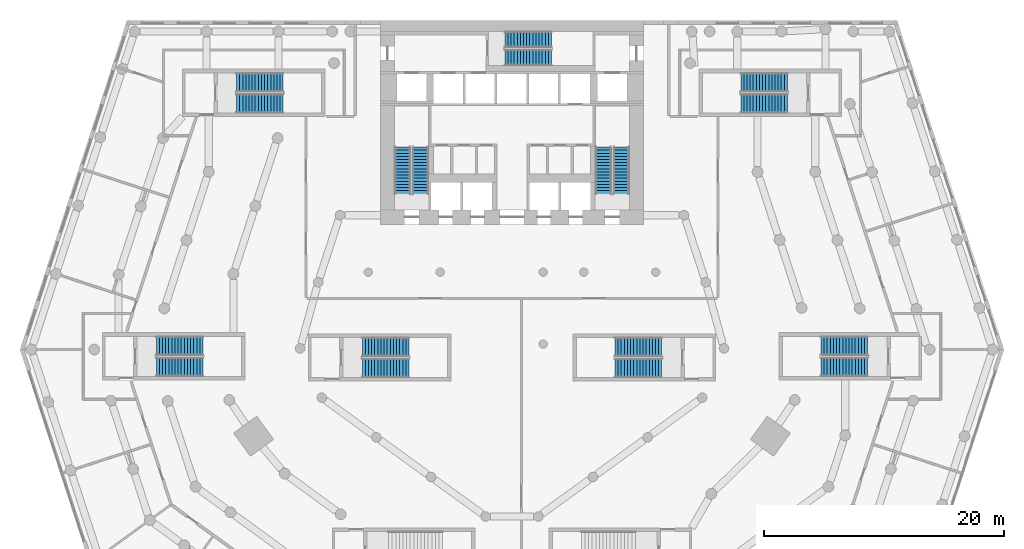
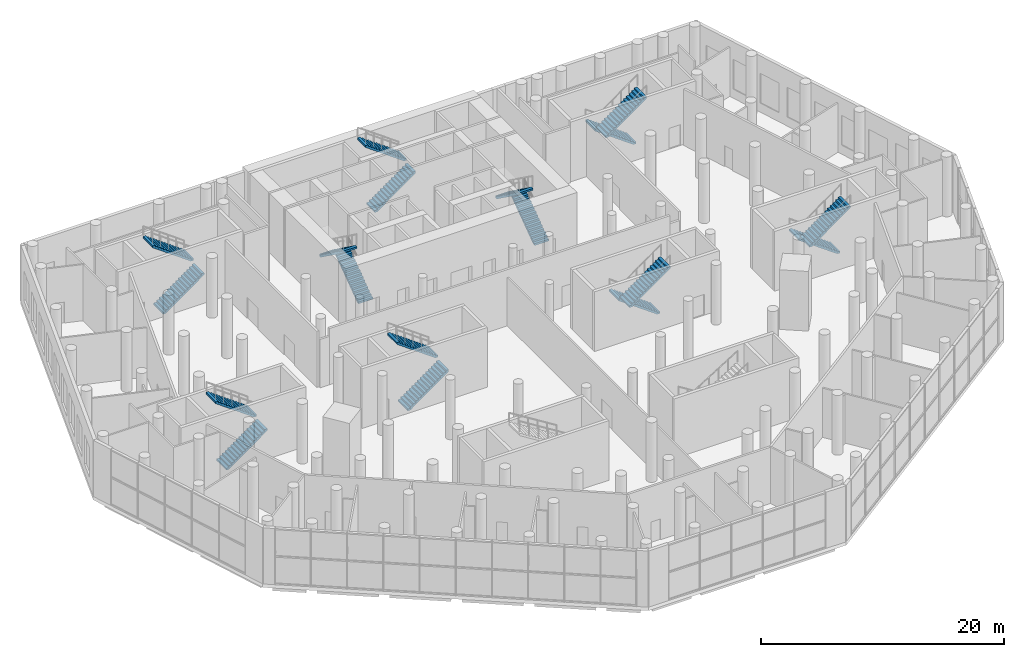
# One storey, part 19 of 23: 18 stair flights, 9 elements without a shape of their own.
"""IFC4 building model written with IfcOpenShell, lengths in metres."""

import ifcopenshell
import ifcopenshell.guid

model = None  # the IFC model being written
_history = None  # IfcOwnerHistory: only IFC2X3 demands one
_inside = {}  # id of a spatial element -> (the spatial element, [elements in it])
_under = {}  # id of a project, library or spatial element -> (it, [spatial elements below it])
_declared = {}  # id of a project -> (the project, [libraries it declares])
_typed = {}  # id of a type object -> (the type object, [elements of that type])
_made_of = {}  # id of a material, layer set ... -> (it, [elements and type objects made of it])


def new_model(schema):
    """Start an empty IFC model of exactly this schema.

    Asked for "IFC4X3", IfcOpenShell would pick the latest addendum, in which some entities
    have other attributes; the version numbers below select the first issue.
    IFC2X3 requires an IfcOwnerHistory on every rooted entity: one is made here for all.
    """
    global model, _history
    if schema == "IFC4X3":
        model = ifcopenshell.file(schema_version=(4, 3, 0, 0))
    else:
        model = ifcopenshell.file(schema=schema)
    _inside.clear()
    _under.clear()
    _declared.clear()
    _typed.clear()
    _made_of.clear()
    _history = None
    if model.schema == "IFC2X3":
        org = make("IfcOrganization", Name="unknown")
        user = make(
            "IfcPersonAndOrganization",
            ThePerson=make("IfcPerson", FamilyName="unknown"),
            TheOrganization=org,
        )
        app = make(
            "IfcApplication",
            ApplicationDeveloper=org,
            Version="unknown",
            ApplicationFullName="unknown",
            ApplicationIdentifier="unknown",
        )
        _history = make(
            "IfcOwnerHistory",
            OwningUser=user,
            OwningApplication=app,
            ChangeAction="ADDED",
            CreationDate=0,
        )
    return model


def make(cls, **values):
    """One entity of the class cls with the attributes given. An attribute that is None is left unset."""
    return model.create_entity(
        cls, **{name: value for name, value in values.items() if value is not None}
    )


def rooted(cls, **values):
    """An entity with a GlobalId (a new one), such as an element, a storey or a relation."""
    return make(cls, GlobalId=ifcopenshell.guid.new(), OwnerHistory=_history, **values)


def si_unit(unit_type, name, prefix=None):
    """IfcSIUnit, for example si_unit("LENGTHUNIT", "METRE", prefix="MILLI")."""
    return make("IfcSIUnit", UnitType=unit_type, Prefix=prefix, Name=name)


def assignment(units):
    """IfcUnitAssignment: the units of a project."""
    return None if units is None else make("IfcUnitAssignment", Units=units)


def point(xyz):
    """IfcCartesianPoint."""
    return None if xyz is None else make("IfcCartesianPoint", Coordinates=xyz)


def direction(xyz):
    """IfcDirection."""
    return None if xyz is None else make("IfcDirection", DirectionRatios=xyz)


def frame(location, z_axis=None, x_axis=None):
    """IfcAxis2Placement3D, a coordinate frame: its origin and axes. An axis left out is left unset."""
    return make(
        "IfcAxis2Placement3D",
        Location=point(location),
        Axis=direction(z_axis),
        RefDirection=direction(x_axis),
    )


def origin():
    """The frame at (0, 0, 0) with its axes left unset."""
    return frame((0.0, 0.0, 0.0))


def place(relative_to, where):
    """IfcLocalPlacement: puts the frame where relative to a parent placement (None: the world)."""
    return make(
        "IfcLocalPlacement", PlacementRelTo=relative_to, RelativePlacement=where
    )


def context(
    kind, dimensions, precision=None, world=None, true_north=None, identifier=None
):
    """IfcGeometricRepresentationContext, for example the 3D "Model" context."""
    return make(
        "IfcGeometricRepresentationContext",
        ContextIdentifier=identifier,
        ContextType=kind,
        CoordinateSpaceDimension=dimensions,
        Precision=precision,
        WorldCoordinateSystem=world,
        TrueNorth=true_north,
    )


def subcontext(parent, identifier, kind, view, scale=None):
    """IfcGeometricRepresentationSubContext, for example "Body" below "Model"."""
    return make(
        "IfcGeometricRepresentationSubContext",
        ContextIdentifier=identifier,
        ContextType=kind,
        ParentContext=parent,
        TargetScale=scale,
        TargetView=view,
    )


def project(units=None, contexts=None):
    """IfcProject with its units and contexts."""
    return rooted(
        "IfcProject",
        Name="project",
        RepresentationContexts=contexts,
        UnitsInContext=assignment(units),
    )


def spatial(cls, under=None, at=None, **own):
    """A site, building, storey or space (cls), placed at a placement, below another one or the project."""
    s = rooted(cls, ObjectPlacement=at, **own)
    if under is not None:
        _under.setdefault(under.id(), (under, []))[1].append(s)
    return s


def polyline(points):
    """IfcPolyline through the points."""
    return make("IfcPolyline", Points=[point(p) for p in points])


def outline(outer, holes=None, kind="AREA"):
    """IfcArbitraryClosedProfileDef: a profile drawn as a closed curve; with holes, ...WithVoids."""
    if holes is None:
        return make("IfcArbitraryClosedProfileDef", ProfileType=kind, OuterCurve=outer)
    return make(
        "IfcArbitraryProfileDefWithVoids",
        ProfileType=kind,
        OuterCurve=outer,
        InnerCurves=holes,
    )


def extrude(swept, where, along, depth):
    """IfcExtrudedAreaSolid: the profile swept, set in the frame where, extruded along a direction by depth."""
    return make(
        "IfcExtrudedAreaSolid",
        SweptArea=swept,
        Position=where,
        ExtrudedDirection=direction(along),
        Depth=depth,
    )


def shape(context_of_items, identifier, shape_type, items):
    """IfcShapeRepresentation: the items that make up one representation, for example the "Body"."""
    return make(
        "IfcShapeRepresentation",
        ContextOfItems=context_of_items,
        RepresentationIdentifier=identifier,
        RepresentationType=shape_type,
        Items=items,
    )


def material(Name=None, Category=None):
    """IfcMaterial."""
    return make("IfcMaterial", Name=Name, Category=Category)


def layer(
    of_material, thickness, ventilated=None, Name=None, Category=None, Priority=None
):
    """IfcMaterialLayer: one layer of a wall or slab, of a material (None: an air gap)."""
    return make(
        "IfcMaterialLayer",
        Material=of_material,
        LayerThickness=thickness,
        IsVentilated=ventilated,
        Name=Name,
        Category=Category,
        Priority=Priority,
    )


def layer_set(layers, Name=None):
    """IfcMaterialLayerSet."""
    return make("IfcMaterialLayerSet", MaterialLayers=layers, LayerSetName=Name)


def made_of(thing, what):
    """Note that an element or type object is made of a material, layer set ...; save() writes the relation."""
    if what is not None:
        _made_of.setdefault(what.id(), (what, []))[1].append(thing)
    return thing


def type_object(cls, material=None, **own):
    """A type object (cls), such as IfcWallType, which elements share."""
    return made_of(rooted(cls, **own), material)


def element(
    cls,
    number,
    at=None,
    inside=None,
    cuts=None,
    type_object=None,
    material=None,
    context=None,
    identifier="Body",
    shape_type=None,
    held_by="IfcProductDefinitionShape",
    body=None,
    shapes=None,
    **own,
):
    """One element of the class cls, such as IfcWall. Its Tag is "e" and its number.

    at: its placement. inside: the storey or other place that contains it. cuts: it is an
    opening in that element (IfcRelVoidsElement). A single representation is given by context,
    identifier, shape_type and body (its items); several are given by shapes. held_by: the class
    of the entity that holds the representations. save() writes the other relations.
    """
    e = rooted(cls, Tag="e%d" % number, ObjectPlacement=at, **own)
    if body is not None:
        shapes = [shape(context, identifier, shape_type, body)]
    if shapes is not None:
        e.Representation = make(held_by, Representations=shapes)
    if inside is not None:
        _inside.setdefault(inside.id(), (inside, []))[1].append(e)
    if cuts is not None:
        rooted(
            "IfcRelVoidsElement", RelatingBuildingElement=cuts, RelatedOpeningElement=e
        )
    if type_object is not None:
        _typed.setdefault(type_object.id(), (type_object, []))[1].append(e)
    return made_of(e, material)


def aggregate(whole, parts):
    """IfcRelAggregates: a whole, such as a stair, and the parts it consists of."""
    return rooted("IfcRelAggregates", RelatingObject=whole, RelatedObjects=parts)


def save(model, path):
    """Write the relations noted so far, then the file.

    IfcRelAggregates (storeys below a building ...), IfcRelContainedInSpatialStructure (elements
    in a storey), IfcRelDefinesByType, IfcRelAssociatesMaterial and IfcRelDeclares: one each for
    every whole, place, type object, material and project.
    """
    for whole, parts in _under.values():
        aggregate(whole, parts)
    for where, things in _inside.values():
        rooted(
            "IfcRelContainedInSpatialStructure",
            RelatedElements=things,
            RelatingStructure=where,
        )
    for kind, things in _typed.values():
        rooted("IfcRelDefinesByType", RelatedObjects=things, RelatingType=kind)
    for what, things in _made_of.values():
        rooted("IfcRelAssociatesMaterial", RelatedObjects=things, RelatingMaterial=what)
    for by, libraries in _declared.values():
        rooted("IfcRelDeclares", RelatingContext=by, RelatedDefinitions=libraries)
    model.write(path)


model = new_model("IFC4")

# Units and contexts
model_context = context("Model", 3, precision=1e-05, world=origin(), true_north=direction((0.0, 1.0)))
body_context = subcontext(model_context, "Body", "Model", "MODEL_VIEW")
ifc_project = project(units=[si_unit("LENGTHUNIT", "METRE"), si_unit("AREAUNIT", "SQUARE_METRE"), si_unit("VOLUMEUNIT", "CUBIC_METRE"), si_unit("PLANEANGLEUNIT", "RADIAN"), si_unit("MASSUNIT", "GRAM", prefix="KILO")], contexts=[model_context])

# Site, building, storey
site_placement = place(None, origin())
site = spatial("IfcSite", under=ifc_project, at=site_placement, CompositionType="ELEMENT")
building_placement = place(site_placement, origin())
building = spatial("IfcBuilding", under=site, at=building_placement, Name="White Candle Pilgrim Tower", CompositionType="ELEMENT")
storey_placement = place(building_placement, frame((0.0, 0.0, 9.0)))
storey = spatial("IfcBuildingStorey", under=building, at=storey_placement, Name="L01", CompositionType="ELEMENT", Elevation=9.0)

# Stair, stair flights
ifc_material = material(Name="Concrete C40/50", Category="concrete")
stair_type_1 = type_object("IfcStairType", Name="Exit stair 1 flight width 1350 mm", PredefinedType="HALF_TURN_STAIR", material=ifc_material)
stair_1_placement = place(storey_placement, origin())
stair_1 = element("IfcStair", 1, at=stair_1_placement, inside=storey, type_object=stair_type_1, Name="L01 stair 1", PredefinedType="NOTDEFINED")
ifc_layer = layer(ifc_material, 0.14990234375)
ifc_layer_set = layer_set([ifc_layer], Name="Stair flight Concrete C40/50")
stair_flight_type = type_object("IfcStairFlightType", Name="Stair flight Concrete C40/50", PredefinedType="STRAIGHT", material=ifc_layer_set)
stair_flight_1_placement = place(storey_placement, frame((62.375, 73.550048828125, 0.0), z_axis=(0.0, 0.0, 1.0), x_axis=(0.0, 1.0, 0.0)))
stair_flight_1 = element("IfcStairFlight", 2, at=stair_flight_1_placement, type_object=stair_flight_type, Name="ST1 flight 1", NumberOfRisers=16, NumberOfTreads=15, PredefinedType="NOTDEFINED", RiserHeight=0.1875, TreadLength=0.26, context=body_context, shape_type="SweptSolid", body=[
    extrude(outline(polyline([(0.0, 0.0), (0.0, 0.1875), (0.260009765625, 0.1875), (0.260009765625, 0.375), (0.52001953125, 0.375), (0.52001953125, 0.5625), (0.780029296875, 0.5625), (0.780029296875, 0.75), (1.0400390625, 0.75), (1.0400390625, 0.9375), (1.300048828125, 0.9375), (1.300048828125, 1.125), (1.56005859375, 1.125), (1.56005859375, 1.3125), (1.820068359375, 1.3125), (1.820068359375, 1.5), (2.080078125, 1.5), (2.080078125, 1.6875), (2.340087890625, 1.6875), (2.340087890625, 1.875), (2.60009765625, 1.875), (2.60009765625, 2.0625), (2.860107421875, 2.0625), (2.860107421875, 2.25), (3.1201171875, 2.25), (3.1201171875, 2.4375), (3.3798828125, 2.4375), (3.3798828125, 2.625), (3.639892578125, 2.625), (3.639892578125, 2.8125), (3.89990234375, 2.8125), (3.89990234375, 3.0), (3.89990234375, 2.627685546875), (0.25634765625, 0.0), (0.0, 0.0)])), frame((0.0, 0.675048828125, 0.0), z_axis=(0.0, -1.0, 0.0), x_axis=(1.0, 0.0, 0.0)), (0.0, 0.0, 1.0), 1.35009765625),
])
stair_flight_2_placement = place(storey_placement, frame((60.875, 77.449951171875, 3.0), z_axis=(0.0, 0.0, 1.0), x_axis=(0.0, -1.0, 0.0)))
stair_flight_2 = element("IfcStairFlight", 3, at=stair_flight_2_placement, type_object=stair_flight_type, Name="ST1 flight 2", NumberOfRisers=16, NumberOfTreads=15, PredefinedType="NOTDEFINED", RiserHeight=0.1875, TreadLength=0.26, context=body_context, shape_type="SweptSolid", body=[
    extrude(outline(polyline([(0.0, 0.0), (0.0, 0.1875), (0.260009765625, 0.1875), (0.260009765625, 0.375), (0.52001953125, 0.375), (0.52001953125, 0.5625), (0.780029296875, 0.5625), (0.780029296875, 0.75), (1.0400390625, 0.75), (1.0400390625, 0.9375), (1.300048828125, 0.9375), (1.300048828125, 1.125), (1.56005859375, 1.125), (1.56005859375, 1.3125), (1.820068359375, 1.3125), (1.820068359375, 1.5), (2.080078125, 1.5), (2.080078125, 1.6875), (2.340087890625, 1.6875), (2.340087890625, 1.875), (2.60009765625, 1.875), (2.60009765625, 2.0625), (2.860107421875, 2.0625), (2.860107421875, 2.25), (3.1201171875, 2.25), (3.1201171875, 2.4375), (3.3798828125, 2.4375), (3.3798828125, 2.625), (3.639892578125, 2.625), (3.639892578125, 2.8125), (3.89990234375, 2.8125), (3.89990234375, 3.0), (3.89990234375, 2.627685546875), (0.25634765625, 0.0), (0.0, 0.0)])), frame((0.0, 0.675048828125, 0.0), z_axis=(0.0, -1.0, 0.0), x_axis=(1.0, 0.0, 0.0)), (0.0, 0.0, 1.0), 1.35009765625),
])
aggregate(stair_1, [stair_flight_1, stair_flight_2])

stair_type_2 = type_object("IfcStairType", Name="Exit stair 2 flight width 1350 mm", PredefinedType="HALF_TURN_STAIR", material=ifc_material)
stair_2_placement = place(storey_placement, origin())
stair_2 = element("IfcStair", 4, at=stair_2_placement, inside=storey, type_object=stair_type_2, Name="L01 stair 2", PredefinedType="NOTDEFINED")
stair_flight_3_placement = place(storey_placement, frame((79.125, 73.550048828125, 0.0), z_axis=(0.0, 0.0, 1.0), x_axis=(0.0, 1.0, 0.0)))
stair_flight_3 = element("IfcStairFlight", 5, at=stair_flight_3_placement, type_object=stair_flight_type, Name="ST2 flight 1", NumberOfRisers=16, NumberOfTreads=15, PredefinedType="NOTDEFINED", RiserHeight=0.1875, TreadLength=0.26, context=body_context, shape_type="SweptSolid", body=[
    extrude(outline(polyline([(0.0, 0.0), (0.0, 0.1875), (0.260009765625, 0.1875), (0.260009765625, 0.375), (0.52001953125, 0.375), (0.52001953125, 0.5625), (0.780029296875, 0.5625), (0.780029296875, 0.75), (1.0400390625, 0.75), (1.0400390625, 0.9375), (1.300048828125, 0.9375), (1.300048828125, 1.125), (1.56005859375, 1.125), (1.56005859375, 1.3125), (1.820068359375, 1.3125), (1.820068359375, 1.5), (2.080078125, 1.5), (2.080078125, 1.6875), (2.340087890625, 1.6875), (2.340087890625, 1.875), (2.60009765625, 1.875), (2.60009765625, 2.0625), (2.860107421875, 2.0625), (2.860107421875, 2.25), (3.1201171875, 2.25), (3.1201171875, 2.4375), (3.3798828125, 2.4375), (3.3798828125, 2.625), (3.639892578125, 2.625), (3.639892578125, 2.8125), (3.89990234375, 2.8125), (3.89990234375, 3.0), (3.89990234375, 2.627685546875), (0.25634765625, 0.0), (0.0, 0.0)])), frame((0.0, 0.675048828125, 0.0), z_axis=(0.0, -1.0, 0.0), x_axis=(1.0, 0.0, 0.0)), (0.0, 0.0, 1.0), 1.35009765625),
])
stair_flight_4_placement = place(storey_placement, frame((77.625, 77.449951171875, 3.0), z_axis=(0.0, 0.0, 1.0), x_axis=(0.0, -1.0, 0.0)))
stair_flight_4 = element("IfcStairFlight", 6, at=stair_flight_4_placement, type_object=stair_flight_type, Name="ST2 flight 2", NumberOfRisers=16, NumberOfTreads=15, PredefinedType="NOTDEFINED", RiserHeight=0.1875, TreadLength=0.26, context=body_context, shape_type="SweptSolid", body=[
    extrude(outline(polyline([(0.0, 0.0), (0.0, 0.1875), (0.260009765625, 0.1875), (0.260009765625, 0.375), (0.52001953125, 0.375), (0.52001953125, 0.5625), (0.780029296875, 0.5625), (0.780029296875, 0.75), (1.0400390625, 0.75), (1.0400390625, 0.9375), (1.300048828125, 0.9375), (1.300048828125, 1.125), (1.56005859375, 1.125), (1.56005859375, 1.3125), (1.820068359375, 1.3125), (1.820068359375, 1.5), (2.080078125, 1.5), (2.080078125, 1.6875), (2.340087890625, 1.6875), (2.340087890625, 1.875), (2.60009765625, 1.875), (2.60009765625, 2.0625), (2.860107421875, 2.0625), (2.860107421875, 2.25), (3.1201171875, 2.25), (3.1201171875, 2.4375), (3.3798828125, 2.4375), (3.3798828125, 2.625), (3.639892578125, 2.625), (3.639892578125, 2.8125), (3.89990234375, 2.8125), (3.89990234375, 3.0), (3.89990234375, 2.627685546875), (0.25634765625, 0.0), (0.0, 0.0)])), frame((0.0, 0.675048828125, 0.0), z_axis=(0.0, -1.0, 0.0), x_axis=(1.0, 0.0, 0.0)), (0.0, 0.0, 1.0), 1.35009765625),
])
aggregate(stair_2, [stair_flight_3, stair_flight_4])

stair_type_3 = type_object("IfcStairType", Name="Exit stair 3 flight width 1350 mm", PredefinedType="HALF_TURN_STAIR", material=ifc_material)
stair_3_placement = place(storey_placement, origin())
stair_3 = element("IfcStair", 7, at=stair_3_placement, inside=storey, type_object=stair_type_3, Name="L01 stair 3", PredefinedType="NOTDEFINED")
stair_flight_5_placement = place(storey_placement, frame((69.39990234375, 84.925048828125, 0.0), z_axis=(0.0, 0.0, 1.0), x_axis=(1.0, 0.0, 0.0)))
stair_flight_5 = element("IfcStairFlight", 8, at=stair_flight_5_placement, type_object=stair_flight_type, Name="ST3 flight 1", NumberOfRisers=16, NumberOfTreads=15, PredefinedType="NOTDEFINED", RiserHeight=0.1875, TreadLength=0.26, context=body_context, shape_type="SweptSolid", body=[
    extrude(outline(polyline([(0.0, 0.0), (0.0, 0.1875), (0.260009765625, 0.1875), (0.260009765625, 0.375), (0.52001953125, 0.375), (0.52001953125, 0.5625), (0.780029296875, 0.5625), (0.780029296875, 0.75), (1.0400390625, 0.75), (1.0400390625, 0.9375), (1.300048828125, 0.9375), (1.300048828125, 1.125), (1.56005859375, 1.125), (1.56005859375, 1.3125), (1.820068359375, 1.3125), (1.820068359375, 1.5), (2.080078125, 1.5), (2.080078125, 1.6875), (2.340087890625, 1.6875), (2.340087890625, 1.875), (2.60009765625, 1.875), (2.60009765625, 2.0625), (2.860107421875, 2.0625), (2.860107421875, 2.25), (3.1201171875, 2.25), (3.1201171875, 2.4375), (3.3798828125, 2.4375), (3.3798828125, 2.625), (3.639892578125, 2.625), (3.639892578125, 2.8125), (3.89990234375, 2.8125), (3.89990234375, 3.0), (3.89990234375, 2.627685546875), (0.25634765625, 0.0), (0.0, 0.0)])), frame((0.0, 0.675048828125, 0.0), z_axis=(0.0, -1.0, 0.0), x_axis=(1.0, 0.0, 0.0)), (0.0, 0.0, 1.0), 1.35009765625),
])
stair_flight_6_placement = place(storey_placement, frame((73.300048828125, 86.425048828125, 3.0), z_axis=(0.0, 0.0, 1.0), x_axis=(-1.0, 0.0, 0.0)))
stair_flight_6 = element("IfcStairFlight", 9, at=stair_flight_6_placement, type_object=stair_flight_type, Name="ST3 flight 2", NumberOfRisers=16, NumberOfTreads=15, PredefinedType="NOTDEFINED", RiserHeight=0.1875, TreadLength=0.26, context=body_context, shape_type="SweptSolid", body=[
    extrude(outline(polyline([(0.0, 0.0), (0.0, 0.1875), (0.260009765625, 0.1875), (0.260009765625, 0.375), (0.52001953125, 0.375), (0.52001953125, 0.5625), (0.780029296875, 0.5625), (0.780029296875, 0.75), (1.0400390625, 0.75), (1.0400390625, 0.9375), (1.300048828125, 0.9375), (1.300048828125, 1.125), (1.56005859375, 1.125), (1.56005859375, 1.3125), (1.820068359375, 1.3125), (1.820068359375, 1.5), (2.080078125, 1.5), (2.080078125, 1.6875), (2.340087890625, 1.6875), (2.340087890625, 1.875), (2.60009765625, 1.875), (2.60009765625, 2.0625), (2.860107421875, 2.0625), (2.860107421875, 2.25), (3.1201171875, 2.25), (3.1201171875, 2.4375), (3.3798828125, 2.4375), (3.3798828125, 2.625), (3.639892578125, 2.625), (3.639892578125, 2.8125), (3.89990234375, 2.8125), (3.89990234375, 3.0), (3.89990234375, 2.627685546875), (0.25634765625, 0.0), (0.0, 0.0)])), frame((0.0, 0.675048828125, 0.0), z_axis=(0.0, -1.0, 0.0), x_axis=(1.0, 0.0, 0.0)), (0.0, 0.0, 1.0), 1.35009765625),
])
aggregate(stair_3, [stair_flight_5, stair_flight_6])

stair_type_4 = type_object("IfcStairType", Name="Exit stair 4 flight width 1600 mm", PredefinedType="HALF_TURN_STAIR", material=ifc_material)
stair_4_placement = place(storey_placement, origin())
stair_4 = element("IfcStair", 10, at=stair_4_placement, inside=storey, type_object=stair_type_4, Name="L01 stair 4", PredefinedType="NOTDEFINED")
stair_flight_7_placement = place(storey_placement, frame((82.5, 60.75, 0.0), z_axis=(0.0, 0.0, 1.0), x_axis=(-1.0, 0.0, 0.0)))
stair_flight_7 = element("IfcStairFlight", 11, at=stair_flight_7_placement, type_object=stair_flight_type, Name="ST4 flight 1", NumberOfRisers=16, NumberOfTreads=15, PredefinedType="NOTDEFINED", RiserHeight=0.1875, TreadLength=0.26, context=body_context, shape_type="SweptSolid", body=[
    extrude(outline(polyline([(0.0, 0.0), (0.0, 0.1875), (0.260009765625, 0.1875), (0.260009765625, 0.375), (0.52001953125, 0.375), (0.52001953125, 0.5625), (0.780029296875, 0.5625), (0.780029296875, 0.75), (1.0400390625, 0.75), (1.0400390625, 0.9375), (1.300048828125, 0.9375), (1.300048828125, 1.125), (1.56005859375, 1.125), (1.56005859375, 1.3125), (1.820068359375, 1.3125), (1.820068359375, 1.5), (2.080078125, 1.5), (2.080078125, 1.6875), (2.340087890625, 1.6875), (2.340087890625, 1.875), (2.60009765625, 1.875), (2.60009765625, 2.0625), (2.860107421875, 2.0625), (2.860107421875, 2.25), (3.1201171875, 2.25), (3.1201171875, 2.4375), (3.3798828125, 2.4375), (3.3798828125, 2.625), (3.639892578125, 2.625), (3.639892578125, 2.8125), (3.89990234375, 2.8125), (3.89990234375, 3.0), (3.89990234375, 2.627685546875), (0.25634765625, 0.0), (0.0, 0.0)])), frame((0.0, 0.800048828125, 0.0), z_axis=(0.0, -1.0, 0.0), x_axis=(1.0, 0.0, 0.0)), (0.0, 0.0, 1.0), 1.60009765625),
])
stair_flight_8_placement = place(storey_placement, frame((78.60009765625, 59.0, 3.0), z_axis=(0.0, 0.0, 1.0), x_axis=(1.0, 0.0, 0.0)))
stair_flight_8 = element("IfcStairFlight", 12, at=stair_flight_8_placement, type_object=stair_flight_type, Name="ST4 flight 2", NumberOfRisers=16, NumberOfTreads=15, PredefinedType="NOTDEFINED", RiserHeight=0.1875, TreadLength=0.26, context=body_context, shape_type="SweptSolid", body=[
    extrude(outline(polyline([(0.0, 0.0), (0.0, 0.1875), (0.260009765625, 0.1875), (0.260009765625, 0.375), (0.52001953125, 0.375), (0.52001953125, 0.5625), (0.780029296875, 0.5625), (0.780029296875, 0.75), (1.0400390625, 0.75), (1.0400390625, 0.9375), (1.300048828125, 0.9375), (1.300048828125, 1.125), (1.56005859375, 1.125), (1.56005859375, 1.3125), (1.820068359375, 1.3125), (1.820068359375, 1.5), (2.080078125, 1.5), (2.080078125, 1.6875), (2.340087890625, 1.6875), (2.340087890625, 1.875), (2.60009765625, 1.875), (2.60009765625, 2.0625), (2.860107421875, 2.0625), (2.860107421875, 2.25), (3.1201171875, 2.25), (3.1201171875, 2.4375), (3.3798828125, 2.4375), (3.3798828125, 2.625), (3.639892578125, 2.625), (3.639892578125, 2.8125), (3.89990234375, 2.8125), (3.89990234375, 3.0), (3.89990234375, 2.627685546875), (0.25634765625, 0.0), (0.0, 0.0)])), frame((0.0, 0.800048828125, 0.0), z_axis=(0.0, -1.0, 0.0), x_axis=(1.0, 0.0, 0.0)), (0.0, 0.0, 1.0), 1.60009765625),
])
aggregate(stair_4, [stair_flight_7, stair_flight_8])

stair_type_5 = type_object("IfcStairType", Name="Exit stair 5 flight width 1600 mm", PredefinedType="HALF_TURN_STAIR", material=ifc_material)
stair_5_placement = place(storey_placement, origin())
stair_5 = element("IfcStair", 13, at=stair_5_placement, inside=storey, type_object=stair_type_5, Name="L01 stair 5", PredefinedType="NOTDEFINED")
stair_flight_9_placement = place(storey_placement, frame((57.5, 59.0, 0.0), z_axis=(0.0, 0.0, 1.0), x_axis=(1.0, 0.0, 0.0)))
stair_flight_9 = element("IfcStairFlight", 14, at=stair_flight_9_placement, type_object=stair_flight_type, Name="ST5 flight 1", NumberOfRisers=16, NumberOfTreads=15, PredefinedType="NOTDEFINED", RiserHeight=0.1875, TreadLength=0.26, context=body_context, shape_type="SweptSolid", body=[
    extrude(outline(polyline([(0.0, 0.0), (0.0, 0.1875), (0.260009765625, 0.1875), (0.260009765625, 0.375), (0.52001953125, 0.375), (0.52001953125, 0.5625), (0.780029296875, 0.5625), (0.780029296875, 0.75), (1.0400390625, 0.75), (1.0400390625, 0.9375), (1.300048828125, 0.9375), (1.300048828125, 1.125), (1.56005859375, 1.125), (1.56005859375, 1.3125), (1.820068359375, 1.3125), (1.820068359375, 1.5), (2.080078125, 1.5), (2.080078125, 1.6875), (2.340087890625, 1.6875), (2.340087890625, 1.875), (2.60009765625, 1.875), (2.60009765625, 2.0625), (2.860107421875, 2.0625), (2.860107421875, 2.25), (3.1201171875, 2.25), (3.1201171875, 2.4375), (3.3798828125, 2.4375), (3.3798828125, 2.625), (3.639892578125, 2.625), (3.639892578125, 2.8125), (3.89990234375, 2.8125), (3.89990234375, 3.0), (3.89990234375, 2.627685546875), (0.25634765625, 0.0), (0.0, 0.0)])), frame((0.0, 0.800048828125, 0.0), z_axis=(0.0, -1.0, 0.0), x_axis=(1.0, 0.0, 0.0)), (0.0, 0.0, 1.0), 1.60009765625),
])
stair_flight_10_placement = place(storey_placement, frame((61.39990234375, 60.75, 3.0), z_axis=(0.0, 0.0, 1.0), x_axis=(-1.0, 0.0, 0.0)))
stair_flight_10 = element("IfcStairFlight", 15, at=stair_flight_10_placement, type_object=stair_flight_type, Name="ST5 flight 2", NumberOfRisers=16, NumberOfTreads=15, PredefinedType="NOTDEFINED", RiserHeight=0.1875, TreadLength=0.26, context=body_context, shape_type="SweptSolid", body=[
    extrude(outline(polyline([(0.0, 0.0), (0.0, 0.1875), (0.260009765625, 0.1875), (0.260009765625, 0.375), (0.52001953125, 0.375), (0.52001953125, 0.5625), (0.780029296875, 0.5625), (0.780029296875, 0.75), (1.0400390625, 0.75), (1.0400390625, 0.9375), (1.300048828125, 0.9375), (1.300048828125, 1.125), (1.56005859375, 1.125), (1.56005859375, 1.3125), (1.820068359375, 1.3125), (1.820068359375, 1.5), (2.080078125, 1.5), (2.080078125, 1.6875), (2.340087890625, 1.6875), (2.340087890625, 1.875), (2.60009765625, 1.875), (2.60009765625, 2.0625), (2.860107421875, 2.0625), (2.860107421875, 2.25), (3.1201171875, 2.25), (3.1201171875, 2.4375), (3.3798828125, 2.4375), (3.3798828125, 2.625), (3.639892578125, 2.625), (3.639892578125, 2.8125), (3.89990234375, 2.8125), (3.89990234375, 3.0), (3.89990234375, 2.627685546875), (0.25634765625, 0.0), (0.0, 0.0)])), frame((0.0, 0.800048828125, 0.0), z_axis=(0.0, -1.0, 0.0), x_axis=(1.0, 0.0, 0.0)), (0.0, 0.0, 1.0), 1.60009765625),
])
aggregate(stair_5, [stair_flight_9, stair_flight_10])

stair_type_6 = type_object("IfcStairType", Name="Exit stair 8 flight width 1600 mm", PredefinedType="HALF_TURN_STAIR", material=ifc_material)
stair_6_placement = place(storey_placement, origin())
stair_6 = element("IfcStair", 16, at=stair_6_placement, inside=storey, type_object=stair_type_6, Name="L01 stair 8", PredefinedType="NOTDEFINED")
stair_flight_11_placement = place(storey_placement, frame((40.300048828125, 59.10009765625, 0.0), z_axis=(0.0, 0.0, 1.0), x_axis=(1.0, 0.0, 0.0)))
stair_flight_11 = element("IfcStairFlight", 17, at=stair_flight_11_placement, type_object=stair_flight_type, Name="ST8 flight 1", NumberOfRisers=16, NumberOfTreads=15, PredefinedType="NOTDEFINED", RiserHeight=0.1875, TreadLength=0.26, context=body_context, shape_type="SweptSolid", body=[
    extrude(outline(polyline([(0.0, 0.0), (0.0, 0.1875), (0.260009765625, 0.1875), (0.260009765625, 0.375), (0.52001953125, 0.375), (0.52001953125, 0.5625), (0.780029296875, 0.5625), (0.780029296875, 0.75), (1.0400390625, 0.75), (1.0400390625, 0.9375), (1.300048828125, 0.9375), (1.300048828125, 1.125), (1.56005859375, 1.125), (1.56005859375, 1.3125), (1.820068359375, 1.3125), (1.820068359375, 1.5), (2.080078125, 1.5), (2.080078125, 1.6875), (2.340087890625, 1.6875), (2.340087890625, 1.875), (2.60009765625, 1.875), (2.60009765625, 2.0625), (2.860107421875, 2.0625), (2.860107421875, 2.25), (3.1201171875, 2.25), (3.1201171875, 2.4375), (3.3798828125, 2.4375), (3.3798828125, 2.625), (3.639892578125, 2.625), (3.639892578125, 2.8125), (3.89990234375, 2.8125), (3.89990234375, 3.0), (3.89990234375, 2.627685546875), (0.25634765625, 0.0), (0.0, 0.0)])), frame((0.0, 0.800048828125, 0.0), z_axis=(0.0, -1.0, 0.0), x_axis=(1.0, 0.0, 0.0)), (0.0, 0.0, 1.0), 1.60009765625),
])
stair_flight_12_placement = place(storey_placement, frame((44.199951171875, 60.85009765625, 3.0), z_axis=(0.0, 0.0, 1.0), x_axis=(-1.0, 0.0, 0.0)))
stair_flight_12 = element("IfcStairFlight", 18, at=stair_flight_12_placement, type_object=stair_flight_type, Name="ST8 flight 2", NumberOfRisers=16, NumberOfTreads=15, PredefinedType="NOTDEFINED", RiserHeight=0.1875, TreadLength=0.26, context=body_context, shape_type="SweptSolid", body=[
    extrude(outline(polyline([(0.0, 0.0), (0.0, 0.1875), (0.260009765625, 0.1875), (0.260009765625, 0.375), (0.52001953125, 0.375), (0.52001953125, 0.5625), (0.780029296875, 0.5625), (0.780029296875, 0.75), (1.0400390625, 0.75), (1.0400390625, 0.9375), (1.300048828125, 0.9375), (1.300048828125, 1.125), (1.56005859375, 1.125), (1.56005859375, 1.3125), (1.820068359375, 1.3125), (1.820068359375, 1.5), (2.080078125, 1.5), (2.080078125, 1.6875), (2.340087890625, 1.6875), (2.340087890625, 1.875), (2.60009765625, 1.875), (2.60009765625, 2.0625), (2.860107421875, 2.0625), (2.860107421875, 2.25), (3.1201171875, 2.25), (3.1201171875, 2.4375), (3.3798828125, 2.4375), (3.3798828125, 2.625), (3.639892578125, 2.625), (3.639892578125, 2.8125), (3.89990234375, 2.8125), (3.89990234375, 3.0), (3.89990234375, 2.627685546875), (0.25634765625, 0.0), (0.0, 0.0)])), frame((0.0, 0.800048828125, 0.0), z_axis=(0.0, -1.0, 0.0), x_axis=(1.0, 0.0, 0.0)), (0.0, 0.0, 1.0), 1.60009765625),
])
aggregate(stair_6, [stair_flight_11, stair_flight_12])

stair_type_7 = type_object("IfcStairType", Name="Exit stair 9 flight width 1600 mm", PredefinedType="HALF_TURN_STAIR", material=ifc_material)
stair_7_placement = place(storey_placement, origin())
stair_7 = element("IfcStair", 19, at=stair_7_placement, inside=storey, type_object=stair_type_7, Name="L01 stair 9", PredefinedType="NOTDEFINED")
stair_flight_13_placement = place(storey_placement, frame((99.699951171875, 60.85009765625, 0.0), z_axis=(0.0, 0.0, 1.0), x_axis=(-1.0, 0.0, 0.0)))
stair_flight_13 = element("IfcStairFlight", 20, at=stair_flight_13_placement, type_object=stair_flight_type, Name="ST9 flight 1", NumberOfRisers=16, NumberOfTreads=15, PredefinedType="NOTDEFINED", RiserHeight=0.1875, TreadLength=0.26, context=body_context, shape_type="SweptSolid", body=[
    extrude(outline(polyline([(0.0, 0.0), (0.0, 0.1875), (0.260009765625, 0.1875), (0.260009765625, 0.375), (0.52001953125, 0.375), (0.52001953125, 0.5625), (0.780029296875, 0.5625), (0.780029296875, 0.75), (1.0400390625, 0.75), (1.0400390625, 0.9375), (1.300048828125, 0.9375), (1.300048828125, 1.125), (1.56005859375, 1.125), (1.56005859375, 1.3125), (1.820068359375, 1.3125), (1.820068359375, 1.5), (2.080078125, 1.5), (2.080078125, 1.6875), (2.340087890625, 1.6875), (2.340087890625, 1.875), (2.60009765625, 1.875), (2.60009765625, 2.0625), (2.860107421875, 2.0625), (2.860107421875, 2.25), (3.1201171875, 2.25), (3.1201171875, 2.4375), (3.3798828125, 2.4375), (3.3798828125, 2.625), (3.639892578125, 2.625), (3.639892578125, 2.8125), (3.89990234375, 2.8125), (3.89990234375, 3.0), (3.89990234375, 2.627685546875), (0.25634765625, 0.0), (0.0, 0.0)])), frame((0.0, 0.800048828125, 0.0), z_axis=(0.0, -1.0, 0.0), x_axis=(1.0, 0.0, 0.0)), (0.0, 0.0, 1.0), 1.60009765625),
])
stair_flight_14_placement = place(storey_placement, frame((95.800048828125, 59.10009765625, 3.0), z_axis=(0.0, 0.0, 1.0), x_axis=(1.0, 0.0, 0.0)))
stair_flight_14 = element("IfcStairFlight", 21, at=stair_flight_14_placement, type_object=stair_flight_type, Name="ST9 flight 2", NumberOfRisers=16, NumberOfTreads=15, PredefinedType="NOTDEFINED", RiserHeight=0.1875, TreadLength=0.26, context=body_context, shape_type="SweptSolid", body=[
    extrude(outline(polyline([(0.0, 0.0), (0.0, 0.1875), (0.260009765625, 0.1875), (0.260009765625, 0.375), (0.52001953125, 0.375), (0.52001953125, 0.5625), (0.780029296875, 0.5625), (0.780029296875, 0.75), (1.0400390625, 0.75), (1.0400390625, 0.9375), (1.300048828125, 0.9375), (1.300048828125, 1.125), (1.56005859375, 1.125), (1.56005859375, 1.3125), (1.820068359375, 1.3125), (1.820068359375, 1.5), (2.080078125, 1.5), (2.080078125, 1.6875), (2.340087890625, 1.6875), (2.340087890625, 1.875), (2.60009765625, 1.875), (2.60009765625, 2.0625), (2.860107421875, 2.0625), (2.860107421875, 2.25), (3.1201171875, 2.25), (3.1201171875, 2.4375), (3.3798828125, 2.4375), (3.3798828125, 2.625), (3.639892578125, 2.625), (3.639892578125, 2.8125), (3.89990234375, 2.8125), (3.89990234375, 3.0), (3.89990234375, 2.627685546875), (0.25634765625, 0.0), (0.0, 0.0)])), frame((0.0, 0.800048828125, 0.0), z_axis=(0.0, -1.0, 0.0), x_axis=(1.0, 0.0, 0.0)), (0.0, 0.0, 1.0), 1.60009765625),
])
aggregate(stair_7, [stair_flight_13, stair_flight_14])

stair_type_8 = type_object("IfcStairType", Name="Exit stair 10 flight width 1600 mm", PredefinedType="HALF_TURN_STAIR", material=ifc_material)
stair_8_placement = place(storey_placement, origin())
stair_8 = element("IfcStair", 22, at=stair_8_placement, inside=storey, type_object=stair_type_8, Name="L01 stair 10", PredefinedType="NOTDEFINED")
stair_flight_15_placement = place(storey_placement, frame((47.0, 81.10009765625, 0.0), z_axis=(0.0, 0.0, 1.0), x_axis=(1.0, 0.0, 0.0)))
stair_flight_15 = element("IfcStairFlight", 23, at=stair_flight_15_placement, type_object=stair_flight_type, Name="ST10 flight 1", NumberOfRisers=16, NumberOfTreads=15, PredefinedType="NOTDEFINED", RiserHeight=0.1875, TreadLength=0.26, context=body_context, shape_type="SweptSolid", body=[
    extrude(outline(polyline([(0.0, 0.0), (0.0, 0.1875), (0.260009765625, 0.1875), (0.260009765625, 0.375), (0.52001953125, 0.375), (0.52001953125, 0.5625), (0.780029296875, 0.5625), (0.780029296875, 0.75), (1.0400390625, 0.75), (1.0400390625, 0.9375), (1.300048828125, 0.9375), (1.300048828125, 1.125), (1.56005859375, 1.125), (1.56005859375, 1.3125), (1.820068359375, 1.3125), (1.820068359375, 1.5), (2.080078125, 1.5), (2.080078125, 1.6875), (2.340087890625, 1.6875), (2.340087890625, 1.875), (2.60009765625, 1.875), (2.60009765625, 2.0625), (2.860107421875, 2.0625), (2.860107421875, 2.25), (3.1201171875, 2.25), (3.1201171875, 2.4375), (3.3798828125, 2.4375), (3.3798828125, 2.625), (3.639892578125, 2.625), (3.639892578125, 2.8125), (3.89990234375, 2.8125), (3.89990234375, 3.0), (3.89990234375, 2.627685546875), (0.25634765625, 0.0), (0.0, 0.0)])), frame((0.0, 0.800048828125, 0.0), z_axis=(0.0, -1.0, 0.0), x_axis=(1.0, 0.0, 0.0)), (0.0, 0.0, 1.0), 1.60009765625),
])
stair_flight_16_placement = place(storey_placement, frame((50.89990234375, 82.85009765625, 3.0), z_axis=(0.0, 0.0, 1.0), x_axis=(-1.0, 0.0, 0.0)))
stair_flight_16 = element("IfcStairFlight", 24, at=stair_flight_16_placement, type_object=stair_flight_type, Name="ST10 flight 2", NumberOfRisers=16, NumberOfTreads=15, PredefinedType="NOTDEFINED", RiserHeight=0.1875, TreadLength=0.26, context=body_context, shape_type="SweptSolid", body=[
    extrude(outline(polyline([(0.0, 0.0), (0.0, 0.1875), (0.260009765625, 0.1875), (0.260009765625, 0.375), (0.52001953125, 0.375), (0.52001953125, 0.5625), (0.780029296875, 0.5625), (0.780029296875, 0.75), (1.0400390625, 0.75), (1.0400390625, 0.9375), (1.300048828125, 0.9375), (1.300048828125, 1.125), (1.56005859375, 1.125), (1.56005859375, 1.3125), (1.820068359375, 1.3125), (1.820068359375, 1.5), (2.080078125, 1.5), (2.080078125, 1.6875), (2.340087890625, 1.6875), (2.340087890625, 1.875), (2.60009765625, 1.875), (2.60009765625, 2.0625), (2.860107421875, 2.0625), (2.860107421875, 2.25), (3.1201171875, 2.25), (3.1201171875, 2.4375), (3.3798828125, 2.4375), (3.3798828125, 2.625), (3.639892578125, 2.625), (3.639892578125, 2.8125), (3.89990234375, 2.8125), (3.89990234375, 3.0), (3.89990234375, 2.627685546875), (0.25634765625, 0.0), (0.0, 0.0)])), frame((0.0, 0.800048828125, 0.0), z_axis=(0.0, -1.0, 0.0), x_axis=(1.0, 0.0, 0.0)), (0.0, 0.0, 1.0), 1.60009765625),
])
aggregate(stair_8, [stair_flight_15, stair_flight_16])

stair_type_9 = type_object("IfcStairType", Name="Exit stair 11 flight width 1600 mm", PredefinedType="HALF_TURN_STAIR", material=ifc_material)
stair_9_placement = place(storey_placement, origin())
stair_9 = element("IfcStair", 25, at=stair_9_placement, inside=storey, type_object=stair_type_9, Name="L01 stair 11", PredefinedType="NOTDEFINED")
stair_flight_17_placement = place(storey_placement, frame((93.0, 82.85009765625, 0.0), z_axis=(0.0, 0.0, 1.0), x_axis=(-1.0, 0.0, 0.0)))
stair_flight_17 = element("IfcStairFlight", 26, at=stair_flight_17_placement, type_object=stair_flight_type, Name="ST11 flight 1", NumberOfRisers=16, NumberOfTreads=15, PredefinedType="NOTDEFINED", RiserHeight=0.1875, TreadLength=0.26, context=body_context, shape_type="SweptSolid", body=[
    extrude(outline(polyline([(0.0, 0.0), (0.0, 0.1875), (0.260009765625, 0.1875), (0.260009765625, 0.375), (0.52001953125, 0.375), (0.52001953125, 0.5625), (0.780029296875, 0.5625), (0.780029296875, 0.75), (1.0400390625, 0.75), (1.0400390625, 0.9375), (1.300048828125, 0.9375), (1.300048828125, 1.125), (1.56005859375, 1.125), (1.56005859375, 1.3125), (1.820068359375, 1.3125), (1.820068359375, 1.5), (2.080078125, 1.5), (2.080078125, 1.6875), (2.340087890625, 1.6875), (2.340087890625, 1.875), (2.60009765625, 1.875), (2.60009765625, 2.0625), (2.860107421875, 2.0625), (2.860107421875, 2.25), (3.1201171875, 2.25), (3.1201171875, 2.4375), (3.3798828125, 2.4375), (3.3798828125, 2.625), (3.639892578125, 2.625), (3.639892578125, 2.8125), (3.89990234375, 2.8125), (3.89990234375, 3.0), (3.89990234375, 2.627685546875), (0.25634765625, 0.0), (0.0, 0.0)])), frame((0.0, 0.800048828125, 0.0), z_axis=(0.0, -1.0, 0.0), x_axis=(1.0, 0.0, 0.0)), (0.0, 0.0, 1.0), 1.60009765625),
])
stair_flight_18_placement = place(storey_placement, frame((89.10009765625, 81.10009765625, 3.0), z_axis=(0.0, 0.0, 1.0), x_axis=(1.0, 0.0, 0.0)))
stair_flight_18 = element("IfcStairFlight", 27, at=stair_flight_18_placement, type_object=stair_flight_type, Name="ST11 flight 2", NumberOfRisers=16, NumberOfTreads=15, PredefinedType="NOTDEFINED", RiserHeight=0.1875, TreadLength=0.26, context=body_context, shape_type="SweptSolid", body=[
    extrude(outline(polyline([(0.0, 0.0), (0.0, 0.1875), (0.260009765625, 0.1875), (0.260009765625, 0.375), (0.52001953125, 0.375), (0.52001953125, 0.5625), (0.780029296875, 0.5625), (0.780029296875, 0.75), (1.0400390625, 0.75), (1.0400390625, 0.9375), (1.300048828125, 0.9375), (1.300048828125, 1.125), (1.56005859375, 1.125), (1.56005859375, 1.3125), (1.820068359375, 1.3125), (1.820068359375, 1.5), (2.080078125, 1.5), (2.080078125, 1.6875), (2.340087890625, 1.6875), (2.340087890625, 1.875), (2.60009765625, 1.875), (2.60009765625, 2.0625), (2.860107421875, 2.0625), (2.860107421875, 2.25), (3.1201171875, 2.25), (3.1201171875, 2.4375), (3.3798828125, 2.4375), (3.3798828125, 2.625), (3.639892578125, 2.625), (3.639892578125, 2.8125), (3.89990234375, 2.8125), (3.89990234375, 3.0), (3.89990234375, 2.627685546875), (0.25634765625, 0.0), (0.0, 0.0)])), frame((0.0, 0.800048828125, 0.0), z_axis=(0.0, -1.0, 0.0), x_axis=(1.0, 0.0, 0.0)), (0.0, 0.0, 1.0), 1.60009765625),
])
aggregate(stair_9, [stair_flight_17, stair_flight_18])

save(model, "model.ifc")
